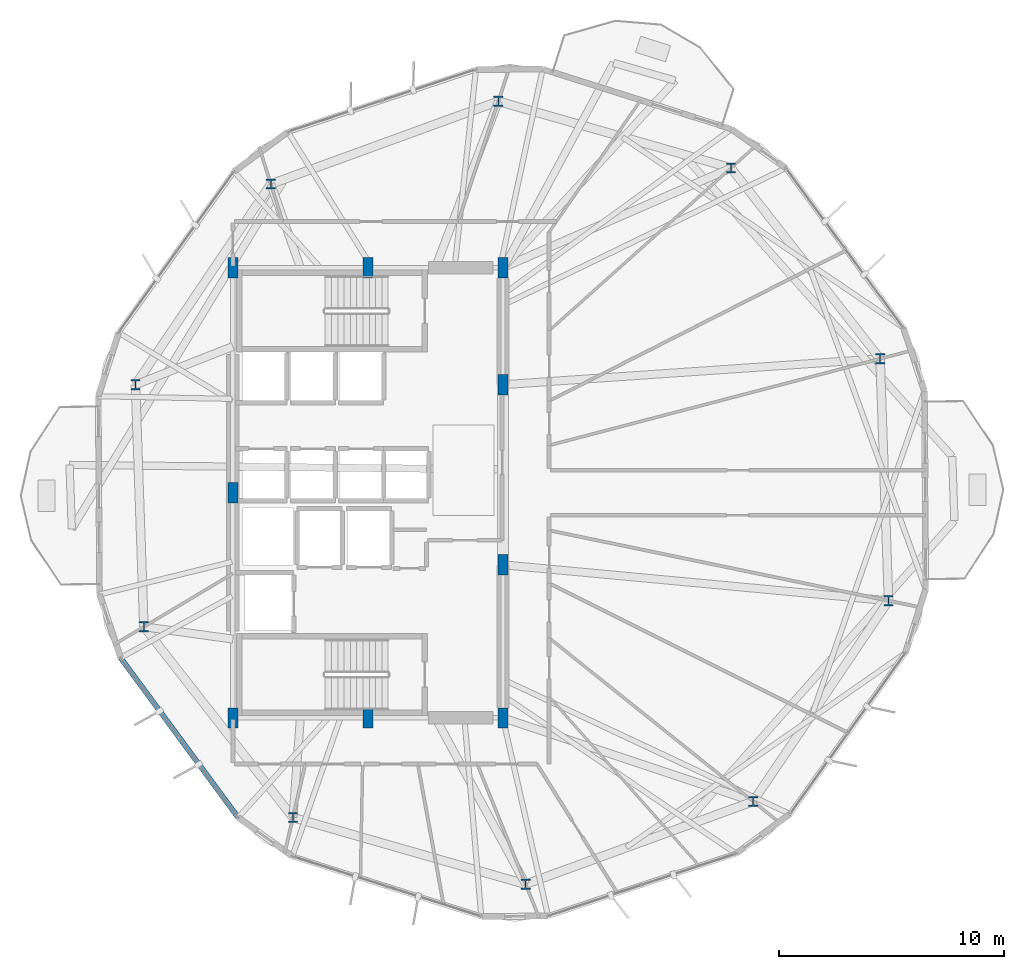
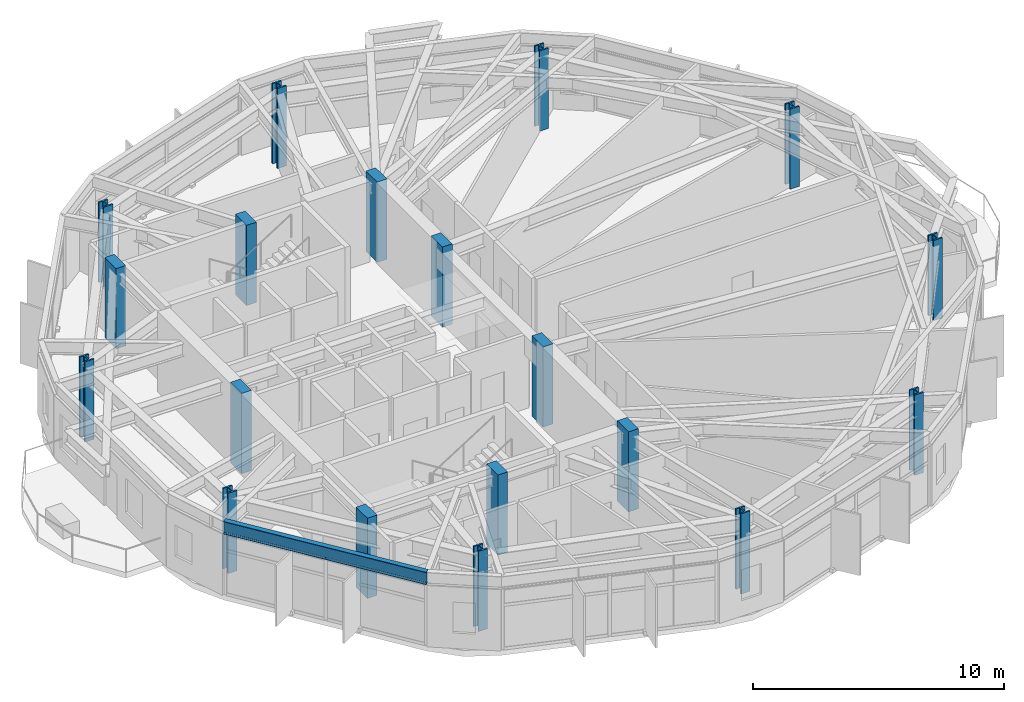
# One storey, part 1 of 27: 19 columns, 1 beam.
"""IFC4 building model written with IfcOpenShell, lengths in metres."""

from ifc_helpers import new_model, si_unit, direction, frame, origin, origin_2d, place, context, subcontext, project, spatial, rectangle, i_section, extrude, material, material_profile, profile_set, type_object, element, save


model = new_model("IFC4")

# Units and contexts
model_context = context("Model", 3, precision=1e-05, world=origin(), true_north=direction((0.0, 1.0)))
body_context = subcontext(model_context, "Body", "Model", "MODEL_VIEW")
ifc_project = project(units=[si_unit("LENGTHUNIT", "METRE"), si_unit("AREAUNIT", "SQUARE_METRE"), si_unit("VOLUMEUNIT", "CUBIC_METRE"), si_unit("PLANEANGLEUNIT", "RADIAN"), si_unit("MASSUNIT", "GRAM", prefix="KILO")], contexts=[model_context])

# Site, building, storey
site_placement = place(None, origin())
site = spatial("IfcSite", under=ifc_project, at=site_placement, CompositionType="ELEMENT")
building_placement = place(site_placement, origin())
building = spatial("IfcBuilding", under=site, at=building_placement, Name="Soratama Intermodal Tower", CompositionType="ELEMENT")
storey_placement = place(building_placement, frame((0.0, 0.0, 99.10009765625)))
storey = spatial("IfcBuildingStorey", under=building, at=storey_placement, Name="L23", CompositionType="ELEMENT", Elevation=99.10009765625)

# Columns
ifc_material_1 = material(Name="Structural steel ASTM A992 Grade 50", Category="steel")
ifc_material_profile_1 = material_profile(ifc_material_1, i_section(OverallWidth=0.41796875, OverallDepth=0.455078125, WebThickness=0.0419921875, FlangeThickness=0.067626953125, FilletRadius=0.0380859375, at=origin_2d()), Name="W14X370")
ifc_profile_set_1 = profile_set([ifc_material_profile_1], Name="Structural steel ASTM A992 Grade 50")
column_type_1 = type_object("IfcColumnType", Name="COL-ZB-W14X370", PredefinedType="COLUMN", material=ifc_profile_set_1)
for number, where, z_axis, x_axis, name in (
    (1, (61.3505859375, 30.951171875, 0.0), (0.0, 0.0, 1.0), (1.0, 0.0, 0.0), "L23 Tower Ring Column R01"),
    (2, (54.72998046875, 39.42529296875, 0.0), (0.0, 0.0, 1.0), (1.0, 0.0, 0.0), "L23 Tower Ring Column R02"),
    (3, (44.392578125, 42.389404296875, 0.0), (0.0, 0.0, 1.0), (1.0, 0.0, 0.0), "L23 Tower Ring Column R03"),
    (4, (34.28759765625, 38.71142578125, 0.0), (0.0, 0.0, 1.0), (1.0, 0.0, 0.0), "L23 Tower Ring Column R04"),
    (5, (28.27392578125, 29.796142578125, 0.0), (0.0, 0.0, 1.0), (1.0, 0.0, 0.0), "L23 Tower Ring Column R05"),
    (6, (28.6494140625, 19.048828125, 0.0), (0.0, 0.0, 1.0), (1.0, 0.0, 0.0), "L23 Tower Ring Column R06"),
    (7, (35.27001953125, 10.57470703125, 0.0), (0.0, 0.0, 1.0), (1.0, 0.0, 0.0), "L23 Tower Ring Column R07"),
    (8, (45.607421875, 7.610595703125, 0.0), (0.0, 0.0, 1.0), (1.0, 0.0, 0.0), "L23 Tower Ring Column R08"),
    (9, (55.71240234375, 11.28857421875, 0.0), (0.0, 0.0, 1.0), (1.0, 0.0, 0.0), "L23 Tower Ring Column R09"),
    (10, (61.72607421875, 20.203857421875, 0.0), (0.0, 0.0, 1.0), (1.0, 0.0, 0.0), "L23 Tower Ring Column R10"),
):
    element("IfcColumn", number, at=place(storey_placement, frame(where, z_axis=z_axis, x_axis=x_axis)), inside=storey, type_object=column_type_1, Name=name, PredefinedType="COLUMN", context=body_context, shape_type="SweptSolid", body=[
        extrude(i_section(OverallWidth=0.41796875, OverallDepth=0.455078125, WebThickness=0.0419921875, FlangeThickness=0.067626953125, FilletRadius=0.0380859375, at=origin_2d()), origin(), (0.0, 0.0, 1.0), 3.89990234375),
    ])
ifc_material_2 = material(Name="Concrete f'c 56 MPa", Category="concrete")
ifc_material_profile_2 = material_profile(ifc_material_2, rectangle(XDim=0.449951171875, YDim=0.89990234375, at=origin_2d()), Name="RC450X900")
ifc_profile_set_2 = profile_set([ifc_material_profile_2], Name="Concrete f'c 56 MPa")
column_type_2 = type_object("IfcColumnType", Name="PIL-CORE-450X900", PredefinedType="PILASTER", material=ifc_profile_set_2)
for number, where, z_axis, x_axis, name in (
    (11, (32.60009765625, 15.0, 0.0), (0.0, 0.0, 1.0), (1.0, 0.0, 0.0), "L23 Core Pilaster 1"),
    (12, (32.60009765625, 25.0, 0.0), (0.0, 0.0, 1.0), (1.0, 0.0, 0.0), "L23 Core Pilaster 2"),
    (13, (32.60009765625, 35.0, 0.0), (0.0, 0.0, 1.0), (1.0, 0.0, 0.0), "L23 Core Pilaster 3"),
    (14, (38.60009765625, 15.0, 0.0), (0.0, 0.0, 1.0), (1.0, 0.0, 0.0), "L23 Core Pilaster 4"),
    (15, (38.60009765625, 35.0, 0.0), (0.0, 0.0, 1.0), (1.0, 0.0, 0.0), "L23 Core Pilaster 5"),
    (16, (44.60009765625, 15.0, 0.0), (0.0, 0.0, 1.0), (1.0, 0.0, 0.0), "L23 Core Pilaster 6"),
    (17, (44.60009765625, 21.800048828125, 0.0), (0.0, 0.0, 1.0), (1.0, 0.0, 0.0), "L23 Core Pilaster 7"),
    (18, (44.60009765625, 29.800048828125, 0.0), (0.0, 0.0, 1.0), (1.0, 0.0, 0.0), "L23 Core Pilaster 8"),
    (19, (44.60009765625, 35.0, 0.0), (0.0, 0.0, 1.0), (1.0, 0.0, 0.0), "L23 Core Pilaster 9"),
):
    element("IfcColumn", number, at=place(storey_placement, frame(where, z_axis=z_axis, x_axis=x_axis)), inside=storey, type_object=column_type_2, Name=name, PredefinedType="PILASTER", context=body_context, shape_type="SweptSolid", body=[
        extrude(rectangle(XDim=0.449951171875, YDim=0.89990234375, at=origin_2d()), origin(), (0.0, 0.0, 1.0), 3.89990234375),
    ])

# Beam
ifc_material_3 = material(Name="Structural steel ASTM A992 Grade 50", Category="steel")
ifc_material_profile_3 = material_profile(ifc_material_3, i_section(OverallWidth=0.22900390625, OverallDepth=0.612060546875, WebThickness=0.011962890625, FlangeThickness=0.01953125, FilletRadius=0.012939453125, at=origin_2d()), Name="W24X84")
ifc_profile_set_3 = profile_set([ifc_material_profile_3], Name="Structural steel ASTM A992 Grade 50")
beam_type = type_object("IfcBeamType", Name="BM-SPN-W24X84", PredefinedType="SPANDREL", material=ifc_profile_set_3)
beam_placement = place(storey_placement, frame((27.611083984375, 17.666015625, 3.2939453125), z_axis=(0.592848143803, -0.805314273057, 0.0), x_axis=(0.805314273057, 0.592848143803, 0.0)))
element("IfcBeam", 20, at=beam_placement, inside=storey, type_object=beam_type, Name="BS-L23-F06", PredefinedType="SPANDREL", context=body_context, shape_type="SweptSolid", body=[
    extrude(i_section(OverallWidth=0.22900390625, OverallDepth=0.612060546875, WebThickness=0.011962890625, FlangeThickness=0.01953125, FilletRadius=0.012939453125, at=origin_2d()), origin(), (0.0, 0.0, 1.0), 8.806640625),
])

save(model, "model.ifc")
